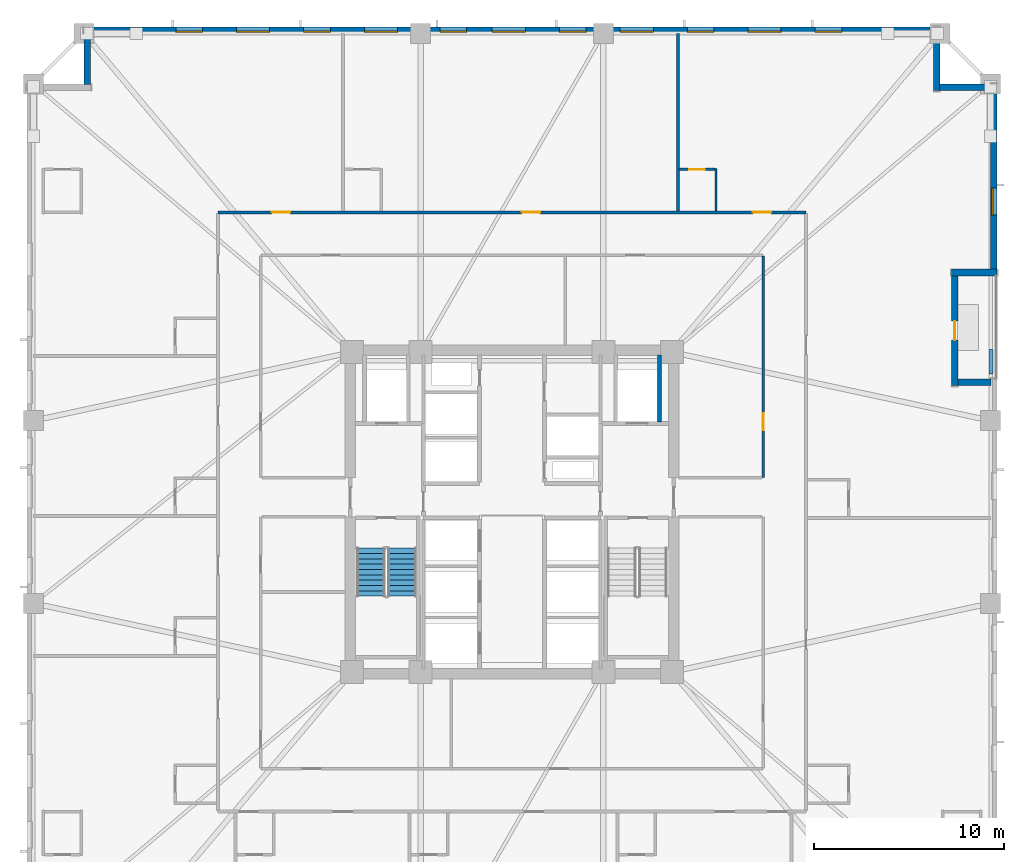
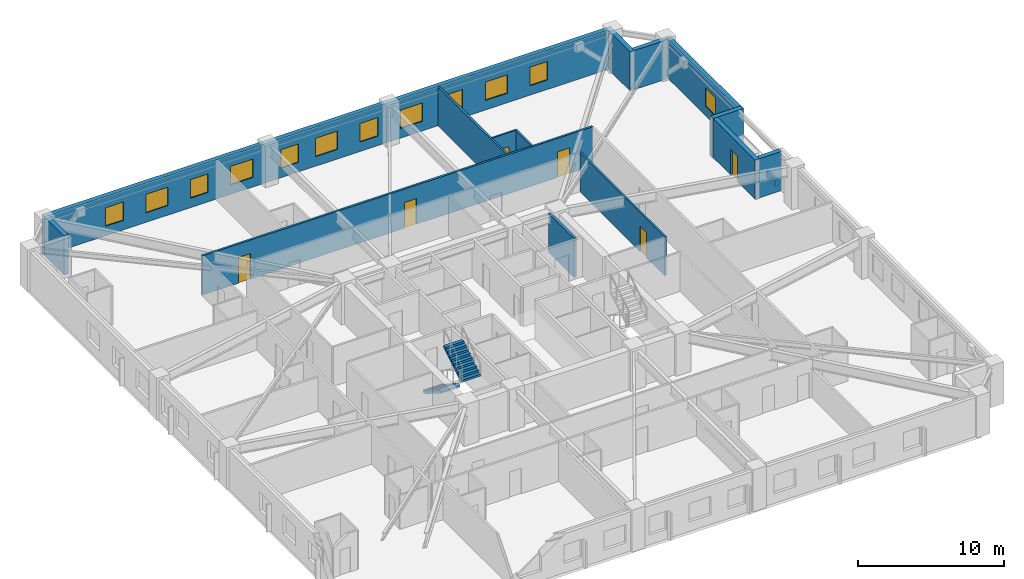
# One storey, part 6 of 12: 15 walls, 12 windows, 6 doors, 2 stair flights, 18 openings, 1 element without a shape of its own.
"""IFC4 building model written with IfcOpenShell, lengths in metres."""

from ifc_helpers import new_model, si_unit, direction, frame, frame_2d, origin, place, context, subcontext, project, spatial, polyline, rectangle, outline, extrude, material, layer, layer_set, type_object, element, fill, aggregate, save


model = new_model("IFC4")

# Units and contexts
model_context = context("Model", 3, precision=1e-05, world=origin(), true_north=direction((0.0, 1.0)))
body_context = subcontext(model_context, "Body", "Model", "MODEL_VIEW")
ifc_project = project(units=[si_unit("LENGTHUNIT", "METRE"), si_unit("AREAUNIT", "SQUARE_METRE"), si_unit("VOLUMEUNIT", "CUBIC_METRE"), si_unit("PLANEANGLEUNIT", "RADIAN"), si_unit("MASSUNIT", "GRAM", prefix="KILO")], contexts=[model_context])

# Site, building, storey
site_placement = place(None, origin())
site = spatial("IfcSite", under=ifc_project, at=site_placement, CompositionType="ELEMENT")
building_placement = place(site_placement, origin())
building = spatial("IfcBuilding", under=site, at=building_placement, Name="Cairnveth Concourse Tower", CompositionType="ELEMENT")
storey_placement = place(building_placement, frame((0.0, 0.0, 83.0)))
storey = spatial("IfcBuildingStorey", under=building, at=storey_placement, Name="L22", CompositionType="ELEMENT", Elevation=83.0)

# Wall, openings, doors
ifc_material_1 = material(Name="Gypsum Plasterboard Partition", Category="gypsum")
ifc_layer_1 = layer(ifc_material_1, 0.159912109375)
ifc_layer_set_1 = layer_set([ifc_layer_1], Name="Gypsum Plasterboard Partition")
wall_type_1 = type_object("IfcWallType", Name="ACOUSTIC PARTY WALL 180", PredefinedType="PARTITIONING", material=ifc_layer_set_1)
wall_1_placement = place(storey_placement, frame((36.550048828125, 54.75, 0.0), z_axis=(0.0, 0.0, 1.0), x_axis=(1.0, 0.0, 0.0)))
wall_1 = element("IfcWall", 1, at=wall_1_placement, inside=storey, type_object=wall_type_1, Name="Interior Wall IW-L22-038", PredefinedType="PARTITIONING", context=body_context, shape_type="SweptSolid", body=[
    extrude(rectangle(XDim=30.89990234375, YDim=0.159912109375, at=frame_2d((15.449951171875, 0.0))), origin(), (0.0, 0.0, 1.0), 3.280029296875),
])
opening_1_placement = place(wall_1_placement, frame((2.830078125, 0.0, 0.0)))
opening_1 = element("IfcOpeningElement", 2, at=opening_1_placement, cuts=wall_1, Name="Opening ID09", PredefinedType="OPENING", context=body_context, shape_type="SweptSolid", body=[
    extrude(rectangle(XDim=0.9599609375, YDim=2.14990234375, at=frame_2d((0.47998046875, 1.074951171875))), frame((0.0, 0.08984375, 0.0), z_axis=(0.0, -1.0, 0.0), x_axis=(1.0, 0.0, 0.0)), (0.0, 0.0, 1.0), 0.179931640625),
])
opening_2_placement = place(wall_1_placement, frame((15.965087890625, 0.0, 0.0)))
opening_2 = element("IfcOpeningElement", 3, at=opening_2_placement, cuts=wall_1, Name="Opening ID09", PredefinedType="OPENING", context=body_context, shape_type="SweptSolid", body=[
    extrude(rectangle(XDim=0.9599609375, YDim=2.14990234375, at=frame_2d((0.47998046875, 1.074951171875))), frame((0.0, 0.08984375, 0.0), z_axis=(0.0, -1.0, 0.0), x_axis=(1.0, 0.0, 0.0)), (0.0, 0.0, 1.0), 0.179931640625),
])
opening_3_placement = place(wall_1_placement, frame((28.10498046875, 0.0, 0.0)))
opening_3 = element("IfcOpeningElement", 4, at=opening_3_placement, cuts=wall_1, Name="Opening ID09", PredefinedType="OPENING", context=body_context, shape_type="SweptSolid", body=[
    extrude(rectangle(XDim=0.9599609375, YDim=2.14990234375, at=frame_2d((0.47998046875, 1.074951171875))), frame((0.0, 0.08984375, 0.0), z_axis=(0.0, -1.0, 0.0), x_axis=(1.0, 0.0, 0.0)), (0.0, 0.0, 1.0), 0.179931640625),
])
ifc_material_2 = material(Name="Solid Core Hardwood Timber Leaf", Category="wood")
door_type_1 = type_object("IfcDoorType", Name="HOTEL ENTRANCE DOOR 960X2150", OperationType="NOTDEFINED", PredefinedType="DOOR", material=ifc_material_2)
door_1_placement = place(opening_1_placement, origin())
door_1 = element("IfcDoor", 5, at=door_1_placement, inside=storey, type_object=door_type_1, Name="Hotel Room Door L22-N1", OperationType="SINGLE_SWING_LEFT", OverallHeight=2.14990234375, OverallWidth=0.9599609375, PredefinedType="DOOR", context=body_context, shape_type="SweptSolid", body=[
    extrude(rectangle(XDim=0.9599609375, YDim=2.14990234375, at=frame_2d((0.47998046875, 1.074951171875))), frame((0.0, 0.02490234375, 0.0), z_axis=(0.0, -1.0, 0.0), x_axis=(1.0, 0.0, 0.0)), (0.0, 0.0, 1.0), 0.050048828125),
])
fill(opening_1, door_1)
door_2_placement = place(opening_2_placement, origin())
door_2 = element("IfcDoor", 6, at=door_2_placement, inside=storey, type_object=door_type_1, Name="Hotel Room Door L22-N2", OperationType="SINGLE_SWING_LEFT", OverallHeight=2.14990234375, OverallWidth=0.9599609375, PredefinedType="DOOR", context=body_context, shape_type="SweptSolid", body=[
    extrude(rectangle(XDim=0.9599609375, YDim=2.14990234375, at=frame_2d((0.47998046875, 1.074951171875))), frame((0.0, 0.02490234375, 0.0), z_axis=(0.0, -1.0, 0.0), x_axis=(1.0, 0.0, 0.0)), (0.0, 0.0, 1.0), 0.050048828125),
])
fill(opening_2, door_2)
door_3_placement = place(opening_3_placement, origin())
door_3 = element("IfcDoor", 7, at=door_3_placement, inside=storey, type_object=door_type_1, Name="Hotel Room Door L22-N3", OperationType="SINGLE_SWING_LEFT", OverallHeight=2.14990234375, OverallWidth=0.9599609375, PredefinedType="DOOR", context=body_context, shape_type="SweptSolid", body=[
    extrude(rectangle(XDim=0.9599609375, YDim=2.14990234375, at=frame_2d((0.47998046875, 1.074951171875))), frame((0.0, 0.02490234375, 0.0), z_axis=(0.0, -1.0, 0.0), x_axis=(1.0, 0.0, 0.0)), (0.0, 0.0, 1.0), 0.050048828125),
])
fill(opening_3, door_3)

# Walls
wall_2_placement = place(storey_placement, frame((60.719970703125, 54.81494140625, 0.0), z_axis=(0.0, 0.0, 1.0), x_axis=(0.0, 1.0, 0.0)))
element("IfcWall", 8, at=wall_2_placement, inside=storey, type_object=wall_type_1, Name="Interior Wall IW-L22-079", PredefinedType="PARTITIONING", context=body_context, shape_type="SweptSolid", body=[
    extrude(rectangle(XDim=9.340087890625, YDim=0.159912109375, at=frame_2d((4.669921875, 0.0))), origin(), (0.0, 0.0, 1.0), 3.280029296875),
])
ifc_material_3 = material(Name="Concrete N50 (50 MPa)", Category="concrete")
ifc_layer_2 = layer(ifc_material_3, 0.199951171875)
ifc_layer_set_2 = layer_set([ifc_layer_2], Name="Concrete N50 (50 MPa)")
wall_type_2 = type_object("IfcWallType", Name="FIRE SHAFT WALL 200", PredefinedType="SOLIDWALL", material=ifc_layer_set_2)
wall_3_placement = place(storey_placement, frame((59.75, 43.735107421875, 0.0), z_axis=(0.0, 0.0, 1.0), x_axis=(0.0, 1.0, 0.0)))
element("IfcWall", 9, at=wall_3_placement, inside=storey, type_object=wall_type_2, Name="Interior Wall IW-L22-024", PredefinedType="SOLIDWALL", context=body_context, shape_type="SweptSolid", body=[
    extrude(rectangle(XDim=3.5048828125, YDim=0.199951171875, at=frame_2d((1.75244140625, 0.0))), origin(), (0.0, 0.0, 1.0), 3.280029296875),
])

# Wall, opening, door
ifc_layer_3 = layer(ifc_material_1, 0.139892578125)
ifc_layer_set_3 = layer_set([ifc_layer_3], Name="Gypsum Plasterboard Partition")
wall_type_3 = type_object("IfcWallType", Name="GYPSUM STUD PARTITION 140", PredefinedType="PARTITIONING", material=ifc_layer_set_3)
wall_4_placement = place(storey_placement, frame((65.199951171875, 40.800048828125, 0.0), z_axis=(0.0, 0.0, 1.0), x_axis=(0.0, 1.0, 0.0)))
wall_4 = element("IfcWall", 10, at=wall_4_placement, inside=storey, type_object=wall_type_3, Name="Interior Wall IW-L22-048", PredefinedType="PARTITIONING", context=body_context, shape_type="SweptSolid", body=[
    extrude(rectangle(XDim=11.64501953125, YDim=0.139892578125, at=frame_2d((5.822509765625, 0.0))), origin(), (0.0, 0.0, 1.0), 3.280029296875),
])
opening_4_placement = place(wall_4_placement, frame((2.5, 0.0, 0.0)))
opening_4 = element("IfcOpeningElement", 11, at=opening_4_placement, cuts=wall_4, Name="Opening ID18", PredefinedType="OPENING", context=body_context, shape_type="SweptSolid", body=[
    extrude(rectangle(XDim=0.8798828125, YDim=2.10009765625, at=frame_2d((0.43994140625, 1.050048828125))), frame((0.0, 0.079833984375, 0.0), z_axis=(0.0, -1.0, 0.0), x_axis=(1.0, 0.0, 0.0)), (0.0, 0.0, 1.0), 0.159912109375),
])
door_type_2 = type_object("IfcDoorType", Name="INTERIOR SINGLE DOOR 880X2100", OperationType="NOTDEFINED", PredefinedType="DOOR", material=ifc_material_2)
door_4_placement = place(opening_4_placement, origin())
door_4 = element("IfcDoor", 12, at=door_4_placement, inside=storey, type_object=door_type_2, Name="Interior Door DR-L22-021", OperationType="SINGLE_SWING_LEFT", OverallHeight=2.10009765625, OverallWidth=0.8798828125, PredefinedType="DOOR", context=body_context, shape_type="SweptSolid", body=[
    extrude(rectangle(XDim=0.8798828125, YDim=2.10009765625, at=frame_2d((0.43994140625, 1.050048828125))), frame((0.0, 0.02490234375, 0.0), z_axis=(0.0, -1.0, 0.0), x_axis=(1.0, 0.0, 0.0)), (0.0, 0.0, 1.0), 0.050048828125),
])
fill(opening_4, door_4)

# Walls
ifc_material_4 = material(Name="Dressed Melbourne Bluestone Cladding", Category="masonry")
ifc_layer_4 = layer(ifc_material_4, 0.219970703125)
ifc_layer_set_4 = layer_set([ifc_layer_4], Name="Dressed Melbourne Bluestone Cladding")
wall_type_4 = type_object("IfcWallType", Name="TERRACE PLANTER CURB WALL 220", PredefinedType="PARAPET", material=ifc_layer_set_4)
wall_5_placement = place(storey_placement, frame((77.179931640625, 46.25, 0.0), z_axis=(0.0, 0.0, 1.0), x_axis=(0.0, 1.0, 0.0)))
element("IfcWall", 13, at=wall_5_placement, inside=storey, type_object=wall_type_4, Name="Exterior Wall PLNT-L22-TERR", PredefinedType="PARAPET", context=body_context, shape_type="SweptSolid", body=[
    extrude(rectangle(XDim=1.300048828125, YDim=0.219970703125, at=frame_2d((0.64990234375, 0.0))), origin(), (0.0, 0.0, 1.0), 0.550048828125),
])
ifc_layer_5 = layer(ifc_material_1, 0.1298828125)
ifc_layer_set_5 = layer_set([ifc_layer_5], Name="Gypsum Plasterboard Partition")
wall_type_5 = type_object("IfcWallType", Name="WET AREA PARTITION 140", PredefinedType="PLUMBINGWALL", material=ifc_layer_set_5)
wall_6_placement = place(storey_placement, frame((62.719970703125, 54.81494140625, 0.0), z_axis=(0.0, 0.0, 1.0), x_axis=(0.0, 1.0, 0.0)))
element("IfcWall", 14, at=wall_6_placement, inside=storey, type_object=wall_type_5, Name="Interior Wall IW-L22-080", PredefinedType="PLUMBINGWALL", context=body_context, shape_type="SweptSolid", body=[
    extrude(rectangle(XDim=2.235107421875, YDim=0.1298828125, at=frame_2d((1.11767578125, 0.0))), origin(), (0.0, 0.0, 1.0), 3.280029296875),
])

# Wall, opening, door
wall_7_placement = place(storey_placement, frame((60.784912109375, 57.0, 0.0), z_axis=(0.0, 0.0, 1.0), x_axis=(1.0, 0.0, 0.0)))
wall_7 = element("IfcWall", 15, at=wall_7_placement, inside=storey, type_object=wall_type_5, Name="Interior Wall IW-L22-081", PredefinedType="PLUMBINGWALL", context=body_context, shape_type="SweptSolid", body=[
    extrude(rectangle(XDim=1.885009765625, YDim=0.1298828125, at=frame_2d((0.9423828125, 0.0))), origin(), (0.0, 0.0, 1.0), 3.280029296875),
])
opening_5_placement = place(wall_7_placement, frame((0.52490234375, 0.0, 0.0)))
opening_5 = element("IfcOpeningElement", 16, at=opening_5_placement, cuts=wall_7, Name="Opening ID22", PredefinedType="OPENING", context=body_context, shape_type="SweptSolid", body=[
    extrude(rectangle(XDim=0.820068359375, YDim=2.10009765625, at=frame_2d((0.41015625, 1.050048828125))), frame((0.0, 0.074951171875, 0.0), z_axis=(0.0, -1.0, 0.0), x_axis=(1.0, 0.0, 0.0)), (0.0, 0.0, 1.0), 0.14990234375),
])
door_type_3 = type_object("IfcDoorType", Name="INTERIOR WC DOOR 820X2100", OperationType="NOTDEFINED", PredefinedType="DOOR", material=ifc_material_2)
door_5_placement = place(opening_5_placement, origin())
door_5 = element("IfcDoor", 17, at=door_5_placement, inside=storey, type_object=door_type_3, Name="En-Suite Door L22-N3", OperationType="SINGLE_SWING_RIGHT", OverallHeight=2.10009765625, OverallWidth=0.820068359375, PredefinedType="DOOR", context=body_context, shape_type="SweptSolid", body=[
    extrude(rectangle(XDim=0.820068359375, YDim=2.10009765625, at=frame_2d((0.41015625, 1.050048828125))), frame((0.0, 0.02490234375, 0.0), z_axis=(0.0, -1.0, 0.0), x_axis=(1.0, 0.0, 0.0)), (0.0, 0.0, 1.0), 0.050048828125),
])
fill(opening_5, door_5)

# Wall
ifc_material_5 = material(Name="Hawthorn Red-Ochre Fired Clay Brick Masonry", Category="masonry")
ifc_layer_6 = layer(ifc_material_5, 0.360107421875)
ifc_layer_set_6 = layer_set([ifc_layer_6], Name="Hawthorn Red-Ochre Fired Clay Brick Masonry")
wall_type_6 = type_object("IfcWallType", Name="ZONE 1 BRICK PIER SPANDREL WALL 360", PredefinedType="SOLIDWALL", material=ifc_layer_set_6)
wall_8_placement = place(storey_placement, frame((29.679931640625, 61.47802734375, 0.0), z_axis=(0.0, 0.0, 1.0), x_axis=(0.0, 1.0, 0.0)))
element("IfcWall", 18, at=wall_8_placement, inside=storey, type_object=wall_type_6, Name="Exterior Wall EW-L22-S08", PredefinedType="SOLIDWALL", context=body_context, shape_type="SweptSolid", body=[
    extrude(rectangle(XDim=2.68408203125, YDim=0.360107421875, at=frame_2d((1.342041015625, 0.0))), origin(), (0.0, 0.0, 1.0), 3.280029296875),
])

# Wall, openings, windows
wall_9_placement = place(storey_placement, frame((29.5, 64.320068359375, 0.0), z_axis=(0.0, 0.0, 1.0), x_axis=(1.0, 0.0, 0.0)))
wall_9 = element("IfcWall", 19, at=wall_9_placement, inside=storey, type_object=wall_type_6, Name="Exterior Wall EW-L22-S09", PredefinedType="SOLIDWALL", context=body_context, shape_type="SweptSolid", body=[
    extrude(rectangle(XDim=44.662109375, YDim=0.360107421875, at=frame_2d((22.3310546875, 0.0))), origin(), (0.0, 0.0, 1.0), 3.280029296875),
])
opening_6_placement = place(wall_9_placement, frame((4.830078125, 0.0, 0.800048828125)))
opening_6 = element("IfcOpeningElement", 20, at=opening_6_placement, cuts=wall_9, Name="Opening W05", PredefinedType="OPENING", context=body_context, shape_type="SweptSolid", body=[
    extrude(rectangle(XDim=1.39990234375, YDim=1.5439453125, at=frame_2d((0.699951171875, 0.77197265625))), frame((0.0, 0.18994140625, 0.0), z_axis=(0.0, -1.0, 0.0), x_axis=(1.0, 0.0, 0.0)), (0.0, 0.0, 1.0), 0.380126953125),
])
opening_7_placement = place(wall_9_placement, frame((8.015380859375, 0.0, 0.800048828125)))
opening_7 = element("IfcOpeningElement", 21, at=opening_7_placement, cuts=wall_9, Name="Opening W06", PredefinedType="OPENING", context=body_context, shape_type="SweptSolid", body=[
    extrude(rectangle(XDim=1.75, YDim=1.5439453125, at=frame_2d((0.875, 0.77197265625))), frame((0.0, 0.18994140625, 0.0), z_axis=(0.0, -1.0, 0.0), x_axis=(1.0, 0.0, 0.0)), (0.0, 0.0, 1.0), 0.380126953125),
])
opening_8_placement = place(wall_9_placement, frame((11.550537109375, 0.0, 0.800048828125)))
opening_8 = element("IfcOpeningElement", 22, at=opening_8_placement, cuts=wall_9, Name="Opening W05", PredefinedType="OPENING", context=body_context, shape_type="SweptSolid", body=[
    extrude(rectangle(XDim=1.39990234375, YDim=1.5439453125, at=frame_2d((0.699951171875, 0.77197265625))), frame((0.0, 0.18994140625, 0.0), z_axis=(0.0, -1.0, 0.0), x_axis=(1.0, 0.0, 0.0)), (0.0, 0.0, 1.0), 0.380126953125),
])
opening_9_placement = place(wall_9_placement, frame((14.735595703125, 0.0, 0.800048828125)))
opening_9 = element("IfcOpeningElement", 23, at=opening_9_placement, cuts=wall_9, Name="Opening W06", PredefinedType="OPENING", context=body_context, shape_type="SweptSolid", body=[
    extrude(rectangle(XDim=1.75, YDim=1.5439453125, at=frame_2d((0.875, 0.77197265625))), frame((0.0, 0.18994140625, 0.0), z_axis=(0.0, -1.0, 0.0), x_axis=(1.0, 0.0, 0.0)), (0.0, 0.0, 1.0), 0.380126953125),
])
opening_10_placement = place(wall_9_placement, frame((18.720703125, 0.0, 0.800048828125)))
opening_10 = element("IfcOpeningElement", 24, at=opening_10_placement, cuts=wall_9, Name="Opening W05", PredefinedType="OPENING", context=body_context, shape_type="SweptSolid", body=[
    extrude(rectangle(XDim=1.39990234375, YDim=1.5439453125, at=frame_2d((0.699951171875, 0.77197265625))), frame((0.0, 0.18994140625, 0.0), z_axis=(0.0, -1.0, 0.0), x_axis=(1.0, 0.0, 0.0)), (0.0, 0.0, 1.0), 0.380126953125),
])
opening_11_placement = place(wall_9_placement, frame((21.4560546875, 0.0, 0.800048828125)))
opening_11 = element("IfcOpeningElement", 25, at=opening_11_placement, cuts=wall_9, Name="Opening W06", PredefinedType="OPENING", context=body_context, shape_type="SweptSolid", body=[
    extrude(rectangle(XDim=1.75, YDim=1.5439453125, at=frame_2d((0.875, 0.77197265625))), frame((0.0, 0.18994140625, 0.0), z_axis=(0.0, -1.0, 0.0), x_axis=(1.0, 0.0, 0.0)), (0.0, 0.0, 1.0), 0.380126953125),
])
opening_12_placement = place(wall_9_placement, frame((24.9912109375, 0.0, 0.800048828125)))
opening_12 = element("IfcOpeningElement", 26, at=opening_12_placement, cuts=wall_9, Name="Opening W05", PredefinedType="OPENING", context=body_context, shape_type="SweptSolid", body=[
    extrude(rectangle(XDim=1.39990234375, YDim=1.5439453125, at=frame_2d((0.699951171875, 0.77197265625))), frame((0.0, 0.18994140625, 0.0), z_axis=(0.0, -1.0, 0.0), x_axis=(1.0, 0.0, 0.0)), (0.0, 0.0, 1.0), 0.380126953125),
])
opening_13_placement = place(wall_9_placement, frame((28.176513671875, 0.0, 0.800048828125)))
opening_13 = element("IfcOpeningElement", 27, at=opening_13_placement, cuts=wall_9, Name="Opening W06", PredefinedType="OPENING", context=body_context, shape_type="SweptSolid", body=[
    extrude(rectangle(XDim=1.75, YDim=1.5439453125, at=frame_2d((0.875, 0.77197265625))), frame((0.0, 0.18994140625, 0.0), z_axis=(0.0, -1.0, 0.0), x_axis=(1.0, 0.0, 0.0)), (0.0, 0.0, 1.0), 0.380126953125),
])
opening_14_placement = place(wall_9_placement, frame((31.71142578125, 0.0, 0.800048828125)))
opening_14 = element("IfcOpeningElement", 28, at=opening_14_placement, cuts=wall_9, Name="Opening W05", PredefinedType="OPENING", context=body_context, shape_type="SweptSolid", body=[
    extrude(rectangle(XDim=1.39990234375, YDim=1.5439453125, at=frame_2d((0.699951171875, 0.77197265625))), frame((0.0, 0.18994140625, 0.0), z_axis=(0.0, -1.0, 0.0), x_axis=(1.0, 0.0, 0.0)), (0.0, 0.0, 1.0), 0.380126953125),
])
opening_15_placement = place(wall_9_placement, frame((34.896728515625, 0.0, 0.800048828125)))
opening_15 = element("IfcOpeningElement", 29, at=opening_15_placement, cuts=wall_9, Name="Opening W06", PredefinedType="OPENING", context=body_context, shape_type="SweptSolid", body=[
    extrude(rectangle(XDim=1.75, YDim=1.5439453125, at=frame_2d((0.875, 0.77197265625))), frame((0.0, 0.18994140625, 0.0), z_axis=(0.0, -1.0, 0.0), x_axis=(1.0, 0.0, 0.0)), (0.0, 0.0, 1.0), 0.380126953125),
])
opening_16_placement = place(wall_9_placement, frame((38.431884765625, 0.0, 0.800048828125)))
opening_16 = element("IfcOpeningElement", 30, at=opening_16_placement, cuts=wall_9, Name="Opening W05", PredefinedType="OPENING", context=body_context, shape_type="SweptSolid", body=[
    extrude(rectangle(XDim=1.39990234375, YDim=1.5439453125, at=frame_2d((0.699951171875, 0.77197265625))), frame((0.0, 0.18994140625, 0.0), z_axis=(0.0, -1.0, 0.0), x_axis=(1.0, 0.0, 0.0)), (0.0, 0.0, 1.0), 0.380126953125),
])
ifc_material_6 = material(Name="Double Glazed Low-E Clear Glass", Category="glass")
window_type_1 = type_object("IfcWindowType", Name="DEEP-SET HOTEL CASEMENT WINDOW 1400X1750", PartitioningType="DOUBLE_PANEL_VERTICAL", PredefinedType="WINDOW", material=ifc_material_6)
window_1_placement = place(opening_6_placement, origin())
window_1 = element("IfcWindow", 31, at=window_1_placement, inside=storey, type_object=window_type_1, Name="Gothic Lancet Window L22-9-1", OverallHeight=1.5439453125, OverallWidth=1.39990234375, PartitioningType="SINGLE_PANEL", PredefinedType="WINDOW", context=body_context, shape_type="SweptSolid", body=[
    extrude(rectangle(XDim=1.39990234375, YDim=1.5439453125, at=frame_2d((0.699951171875, 0.77197265625))), frame((0.0, -0.050048828125, 0.0), z_axis=(0.0, -1.0, 0.0), x_axis=(1.0, 0.0, 0.0)), (0.0, 0.0, 1.0), 0.06005859375),
])
fill(opening_6, window_1)
window_2_placement = place(opening_8_placement, origin())
window_2 = element("IfcWindow", 32, at=window_2_placement, inside=storey, type_object=window_type_1, Name="Gothic Lancet Window L22-9-3", OverallHeight=1.5439453125, OverallWidth=1.39990234375, PartitioningType="SINGLE_PANEL", PredefinedType="WINDOW", context=body_context, shape_type="SweptSolid", body=[
    extrude(rectangle(XDim=1.39990234375, YDim=1.5439453125, at=frame_2d((0.699951171875, 0.77197265625))), frame((0.0, -0.050048828125, 0.0), z_axis=(0.0, -1.0, 0.0), x_axis=(1.0, 0.0, 0.0)), (0.0, 0.0, 1.0), 0.06005859375),
])
fill(opening_8, window_2)
window_3_placement = place(opening_10_placement, origin())
window_3 = element("IfcWindow", 33, at=window_3_placement, inside=storey, type_object=window_type_1, Name="Gothic Lancet Window L22-9-5", OverallHeight=1.5439453125, OverallWidth=1.39990234375, PartitioningType="SINGLE_PANEL", PredefinedType="WINDOW", context=body_context, shape_type="SweptSolid", body=[
    extrude(rectangle(XDim=1.39990234375, YDim=1.5439453125, at=frame_2d((0.699951171875, 0.77197265625))), frame((0.0, -0.050048828125, 0.0), z_axis=(0.0, -1.0, 0.0), x_axis=(1.0, 0.0, 0.0)), (0.0, 0.0, 1.0), 0.06005859375),
])
fill(opening_10, window_3)
window_4_placement = place(opening_12_placement, origin())
window_4 = element("IfcWindow", 34, at=window_4_placement, inside=storey, type_object=window_type_1, Name="Gothic Lancet Window L22-9-7", OverallHeight=1.5439453125, OverallWidth=1.39990234375, PartitioningType="SINGLE_PANEL", PredefinedType="WINDOW", context=body_context, shape_type="SweptSolid", body=[
    extrude(rectangle(XDim=1.39990234375, YDim=1.5439453125, at=frame_2d((0.699951171875, 0.77197265625))), frame((0.0, -0.050048828125, 0.0), z_axis=(0.0, -1.0, 0.0), x_axis=(1.0, 0.0, 0.0)), (0.0, 0.0, 1.0), 0.06005859375),
])
fill(opening_12, window_4)
window_5_placement = place(opening_14_placement, origin())
window_5 = element("IfcWindow", 35, at=window_5_placement, inside=storey, type_object=window_type_1, Name="Gothic Lancet Window L22-9-9", OverallHeight=1.5439453125, OverallWidth=1.39990234375, PartitioningType="SINGLE_PANEL", PredefinedType="WINDOW", context=body_context, shape_type="SweptSolid", body=[
    extrude(rectangle(XDim=1.39990234375, YDim=1.5439453125, at=frame_2d((0.699951171875, 0.77197265625))), frame((0.0, -0.050048828125, 0.0), z_axis=(0.0, -1.0, 0.0), x_axis=(1.0, 0.0, 0.0)), (0.0, 0.0, 1.0), 0.06005859375),
])
fill(opening_14, window_5)
window_6_placement = place(opening_16_placement, origin())
window_6 = element("IfcWindow", 36, at=window_6_placement, inside=storey, type_object=window_type_1, Name="Gothic Lancet Window L22-9-11", OverallHeight=1.5439453125, OverallWidth=1.39990234375, PartitioningType="SINGLE_PANEL", PredefinedType="WINDOW", context=body_context, shape_type="SweptSolid", body=[
    extrude(rectangle(XDim=1.39990234375, YDim=1.5439453125, at=frame_2d((0.699951171875, 0.77197265625))), frame((0.0, -0.050048828125, 0.0), z_axis=(0.0, -1.0, 0.0), x_axis=(1.0, 0.0, 0.0)), (0.0, 0.0, 1.0), 0.06005859375),
])
fill(opening_16, window_6)
window_type_2 = type_object("IfcWindowType", Name="DEEP-SET HOTEL SUITE WINDOW 1750X1800", PartitioningType="DOUBLE_PANEL_VERTICAL", PredefinedType="WINDOW", material=ifc_material_6)
window_7_placement = place(opening_7_placement, origin())
window_7 = element("IfcWindow", 37, at=window_7_placement, inside=storey, type_object=window_type_2, Name="Gothic Lancet Window L22-9-2", OverallHeight=1.5439453125, OverallWidth=1.75, PartitioningType="SINGLE_PANEL", PredefinedType="WINDOW", context=body_context, shape_type="SweptSolid", body=[
    extrude(rectangle(XDim=1.75, YDim=1.5439453125, at=frame_2d((0.875, 0.77197265625))), frame((0.0, -0.050048828125, 0.0), z_axis=(0.0, -1.0, 0.0), x_axis=(1.0, 0.0, 0.0)), (0.0, 0.0, 1.0), 0.06005859375),
])
fill(opening_7, window_7)
window_8_placement = place(opening_9_placement, origin())
window_8 = element("IfcWindow", 38, at=window_8_placement, inside=storey, type_object=window_type_2, Name="Gothic Lancet Window L22-9-4", OverallHeight=1.5439453125, OverallWidth=1.75, PartitioningType="SINGLE_PANEL", PredefinedType="WINDOW", context=body_context, shape_type="SweptSolid", body=[
    extrude(rectangle(XDim=1.75, YDim=1.5439453125, at=frame_2d((0.875, 0.77197265625))), frame((0.0, -0.050048828125, 0.0), z_axis=(0.0, -1.0, 0.0), x_axis=(1.0, 0.0, 0.0)), (0.0, 0.0, 1.0), 0.06005859375),
])
fill(opening_9, window_8)
window_9_placement = place(opening_11_placement, origin())
window_9 = element("IfcWindow", 39, at=window_9_placement, inside=storey, type_object=window_type_2, Name="Gothic Lancet Window L22-9-6", OverallHeight=1.5439453125, OverallWidth=1.75, PartitioningType="SINGLE_PANEL", PredefinedType="WINDOW", context=body_context, shape_type="SweptSolid", body=[
    extrude(rectangle(XDim=1.75, YDim=1.5439453125, at=frame_2d((0.875, 0.77197265625))), frame((0.0, -0.050048828125, 0.0), z_axis=(0.0, -1.0, 0.0), x_axis=(1.0, 0.0, 0.0)), (0.0, 0.0, 1.0), 0.06005859375),
])
fill(opening_11, window_9)
window_10_placement = place(opening_13_placement, origin())
window_10 = element("IfcWindow", 40, at=window_10_placement, inside=storey, type_object=window_type_2, Name="Gothic Lancet Window L22-9-8", OverallHeight=1.5439453125, OverallWidth=1.75, PartitioningType="SINGLE_PANEL", PredefinedType="WINDOW", context=body_context, shape_type="SweptSolid", body=[
    extrude(rectangle(XDim=1.75, YDim=1.5439453125, at=frame_2d((0.875, 0.77197265625))), frame((0.0, -0.050048828125, 0.0), z_axis=(0.0, -1.0, 0.0), x_axis=(1.0, 0.0, 0.0)), (0.0, 0.0, 1.0), 0.06005859375),
])
fill(opening_13, window_10)
window_11_placement = place(opening_15_placement, origin())
window_11 = element("IfcWindow", 41, at=window_11_placement, inside=storey, type_object=window_type_2, Name="Gothic Lancet Window L22-9-10", OverallHeight=1.5439453125, OverallWidth=1.75, PartitioningType="SINGLE_PANEL", PredefinedType="WINDOW", context=body_context, shape_type="SweptSolid", body=[
    extrude(rectangle(XDim=1.75, YDim=1.5439453125, at=frame_2d((0.875, 0.77197265625))), frame((0.0, -0.050048828125, 0.0), z_axis=(0.0, -1.0, 0.0), x_axis=(1.0, 0.0, 0.0)), (0.0, 0.0, 1.0), 0.06005859375),
])
fill(opening_15, window_11)

# Walls
wall_10_placement = place(storey_placement, frame((74.320068359375, 64.5, 0.0), z_axis=(0.0, 0.0, 1.0), x_axis=(0.0, -1.0, 0.0)))
element("IfcWall", 42, at=wall_10_placement, inside=storey, type_object=wall_type_6, Name="Exterior Wall EW-L22-S10", PredefinedType="SOLIDWALL", context=body_context, shape_type="SweptSolid", body=[
    extrude(rectangle(XDim=3.360107421875, YDim=0.360107421875, at=frame_2d((1.68017578125, 0.0))), origin(), (0.0, 0.0, 1.0), 3.280029296875),
])
wall_11_placement = place(storey_placement, frame((74.47802734375, 61.320068359375, 0.0), z_axis=(0.0, 0.0, 1.0), x_axis=(1.0, 0.0, 0.0)))
element("IfcWall", 43, at=wall_11_placement, inside=storey, type_object=wall_type_6, Name="Exterior Wall EW-L22-S11", PredefinedType="SOLIDWALL", context=body_context, shape_type="SweptSolid", body=[
    extrude(rectangle(XDim=2.68408203125, YDim=0.360107421875, at=frame_2d((1.342041015625, 0.0))), origin(), (0.0, 0.0, 1.0), 3.280029296875),
])

# Wall, opening, window
wall_12_placement = place(storey_placement, frame((77.320068359375, 61.5, 0.0), z_axis=(0.0, 0.0, 1.0), x_axis=(0.0, -1.0, 0.0)))
wall_12 = element("IfcWall", 44, at=wall_12_placement, inside=storey, type_object=wall_type_6, Name="Exterior Wall EW-L22-S12", PredefinedType="SOLIDWALL", context=body_context, shape_type="SweptSolid", body=[
    extrude(rectangle(XDim=9.761962890625, YDim=0.360107421875, at=frame_2d((4.880859375, 0.0))), origin(), (0.0, 0.0, 1.0), 3.280029296875),
])
opening_17_placement = place(wall_12_placement, frame((5.48095703125, 0.0, 0.800048828125)))
opening_17 = element("IfcOpeningElement", 45, at=opening_17_placement, cuts=wall_12, Name="Opening W05", PredefinedType="OPENING", context=body_context, shape_type="SweptSolid", body=[
    extrude(rectangle(XDim=1.39990234375, YDim=1.5439453125, at=frame_2d((0.699951171875, 0.77197265625))), frame((0.0, 0.18994140625, 0.0), z_axis=(0.0, -1.0, 0.0), x_axis=(1.0, 0.0, 0.0)), (0.0, 0.0, 1.0), 0.380126953125),
])
window_12_placement = place(opening_17_placement, origin())
window_12 = element("IfcWindow", 46, at=window_12_placement, inside=storey, type_object=window_type_1, Name="Gothic Lancet Window L22-12-1", OverallHeight=1.5439453125, OverallWidth=1.39990234375, PartitioningType="SINGLE_PANEL", PredefinedType="WINDOW", context=body_context, shape_type="SweptSolid", body=[
    extrude(rectangle(XDim=1.39990234375, YDim=1.5439453125, at=frame_2d((0.699951171875, 0.77197265625))), frame((0.0, -0.050048828125, 0.0), z_axis=(0.0, -1.0, 0.0), x_axis=(1.0, 0.0, 0.0)), (0.0, 0.0, 1.0), 0.06005859375),
])
fill(opening_17, window_12)

# Wall
wall_13_placement = place(storey_placement, frame((77.5, 51.580078125, 0.0), z_axis=(0.0, 0.0, 1.0), x_axis=(-1.0, 0.0, 0.0)))
element("IfcWall", 47, at=wall_13_placement, inside=storey, type_object=wall_type_6, Name="Exterior Wall EW-L22-S13", PredefinedType="SOLIDWALL", context=body_context, shape_type="SweptSolid", body=[
    extrude(rectangle(XDim=2.409912109375, YDim=0.360107421875, at=frame_2d((1.205078125, 0.0))), origin(), (0.0, 0.0, 1.0), 3.280029296875),
])

# Wall, opening, door
wall_14_placement = place(storey_placement, frame((75.27001953125, 51.422119140625, 0.0), z_axis=(0.0, 0.0, 1.0), x_axis=(0.0, -1.0, 0.0)))
wall_14 = element("IfcWall", 48, at=wall_14_placement, inside=storey, type_object=wall_type_6, Name="Exterior Wall EW-L22-S14", PredefinedType="SOLIDWALL", context=body_context, shape_type="SweptSolid", body=[
    extrude(rectangle(XDim=5.7822265625, YDim=0.360107421875, at=frame_2d((2.89111328125, 0.0))), origin(), (0.0, 0.0, 1.0), 3.280029296875),
])
opening_18_placement = place(wall_14_placement, frame((2.39111328125, 0.0, 0.0)))
opening_18 = element("IfcOpeningElement", 49, at=opening_18_placement, cuts=wall_14, Name="Opening ED4", PredefinedType="OPENING", context=body_context, shape_type="SweptSolid", body=[
    extrude(rectangle(XDim=1.0, YDim=2.14990234375, at=frame_2d((0.5, 1.074951171875))), frame((0.0, 0.18994140625, 0.0), z_axis=(0.0, -1.0, 0.0), x_axis=(1.0, 0.0, 0.0)), (0.0, 0.0, 1.0), 0.380126953125),
])
ifc_material_7 = material(Name="Architectural Bronze Anodised Aluminium 6063-T6", Category="aluminium")
door_type_4 = type_object("IfcDoorType", Name="TERRACE GLAZED DOOR 1000X2150", OperationType="NOTDEFINED", PredefinedType="DOOR", material=ifc_material_7)
door_6_placement = place(opening_18_placement, origin())
door_6 = element("IfcDoor", 50, at=door_6_placement, inside=storey, type_object=door_type_4, Name="Spiral Terrace Door L22", OperationType="SINGLE_SWING_LEFT", OverallHeight=2.14990234375, OverallWidth=1.0, PredefinedType="DOOR", context=body_context, shape_type="SweptSolid", body=[
    extrude(rectangle(XDim=1.0, YDim=2.14990234375, at=frame_2d((0.5, 1.074951171875))), frame((0.0, 0.02490234375, 0.0), z_axis=(0.0, -1.0, 0.0), x_axis=(1.0, 0.0, 0.0)), (0.0, 0.0, 1.0), 0.050048828125),
])
fill(opening_18, door_6)

# Wall
wall_15_placement = place(storey_placement, frame((75.427978515625, 45.820068359375, 0.0), z_axis=(0.0, 0.0, 1.0), x_axis=(1.0, 0.0, 0.0)))
element("IfcWall", 51, at=wall_15_placement, inside=storey, type_object=wall_type_6, Name="Exterior Wall EW-L22-S15", PredefinedType="SOLIDWALL", context=body_context, shape_type="SweptSolid", body=[
    extrude(rectangle(XDim=1.734130859375, YDim=0.360107421875, at=frame_2d((0.8671875, 0.0))), origin(), (0.0, 0.0, 1.0), 3.280029296875),
])

# Stair, stair flights
ifc_material_8 = material(Name="Precast concrete N50 (50 MPa)", Category="concrete")
stair_type = type_object("IfcStairType", Name="CORE DOG-LEG FIRE STAIR 1500", PredefinedType="HALF_TURN_STAIR", material=ifc_material_8)
stair_placement = place(storey_placement, origin())
stair = element("IfcStair", 52, at=stair_placement, inside=storey, type_object=stair_type, Name="L22 Fire-Isolated Stair ST-1", PredefinedType="HALF_TURN_STAIR")
stair_flight_type = type_object("IfcStairFlightType", Name="PRECAST CONCRETE STAIR FLIGHT 1500", PredefinedType="STRAIGHT", material=ifc_material_8)
stair_flight_1_placement = place(storey_placement, frame((44.590087890625, 37.10009765625, 0.0), z_axis=(0.0, 0.0, 1.0), x_axis=(0.0, -1.0, 0.0)))
stair_flight_1 = element("IfcStairFlight", 53, at=stair_flight_1_placement, type_object=stair_flight_type, Name="ST-1 flight 1", NumberOfRisers=10, NumberOfTreads=9, PredefinedType="STRAIGHT", RiserHeight=0.175, TreadLength=0.28, context=body_context, shape_type="SweptSolid", body=[
    extrude(outline(polyline([(0.0, 0.0), (0.0, 0.175048828125), (0.280029296875, 0.175048828125), (0.280029296875, 0.35009765625), (0.56005859375, 0.35009765625), (0.56005859375, 0.52490234375), (0.840087890625, 0.52490234375), (0.840087890625, 0.699951171875), (1.1201171875, 0.699951171875), (1.1201171875, 0.875), (1.39990234375, 0.875), (1.39990234375, 1.050048828125), (1.679931640625, 1.050048828125), (1.679931640625, 1.22509765625), (1.9599609375, 1.22509765625), (1.9599609375, 1.39990234375), (2.239990234375, 1.39990234375), (2.239990234375, 1.574951171875), (2.52001953125, 1.574951171875), (2.52001953125, 1.75), (2.52001953125, 1.398193359375), (0.28271484375, 0.0), (0.0, 0.0)])), frame((0.0, 0.75, 0.0), z_axis=(0.0, -1.0, 0.0), x_axis=(1.0, 0.0, 0.0)), (0.0, 0.0, 1.0), 1.5),
])
stair_flight_2_placement = place(storey_placement, frame((46.22998046875, 34.580078125, 1.75), z_axis=(0.0, 0.0, 1.0), x_axis=(0.0, 1.0, 0.0)))
stair_flight_2 = element("IfcStairFlight", 54, at=stair_flight_2_placement, type_object=stair_flight_type, Name="ST-1 flight 2", NumberOfRisers=10, NumberOfTreads=9, PredefinedType="STRAIGHT", RiserHeight=0.175, TreadLength=0.28, context=body_context, shape_type="SweptSolid", body=[
    extrude(outline(polyline([(0.0, 0.0), (0.0, 0.175048828125), (0.280029296875, 0.175048828125), (0.280029296875, 0.35009765625), (0.56005859375, 0.35009765625), (0.56005859375, 0.52490234375), (0.840087890625, 0.52490234375), (0.840087890625, 0.699951171875), (1.1201171875, 0.699951171875), (1.1201171875, 0.875), (1.39990234375, 0.875), (1.39990234375, 1.050048828125), (1.679931640625, 1.050048828125), (1.679931640625, 1.22509765625), (1.9599609375, 1.22509765625), (1.9599609375, 1.39990234375), (2.239990234375, 1.39990234375), (2.239990234375, 1.574951171875), (2.52001953125, 1.574951171875), (2.52001953125, 1.75), (2.52001953125, 1.398193359375), (0.28271484375, 0.0), (0.0, 0.0)])), frame((0.0, 0.75, 0.0), z_axis=(0.0, -1.0, 0.0), x_axis=(1.0, 0.0, 0.0)), (0.0, 0.0, 1.0), 1.5),
])
aggregate(stair, [stair_flight_1, stair_flight_2])

save(model, "model.ifc")
